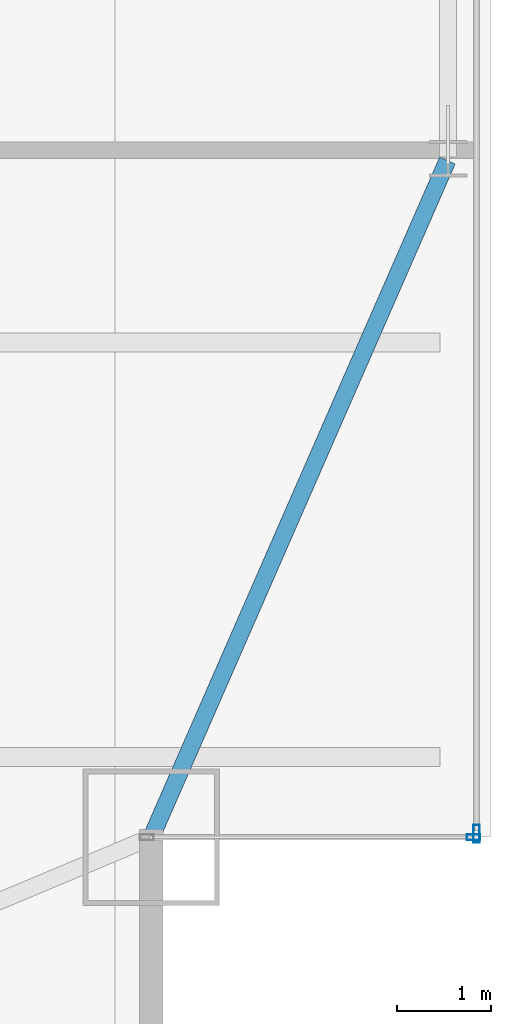
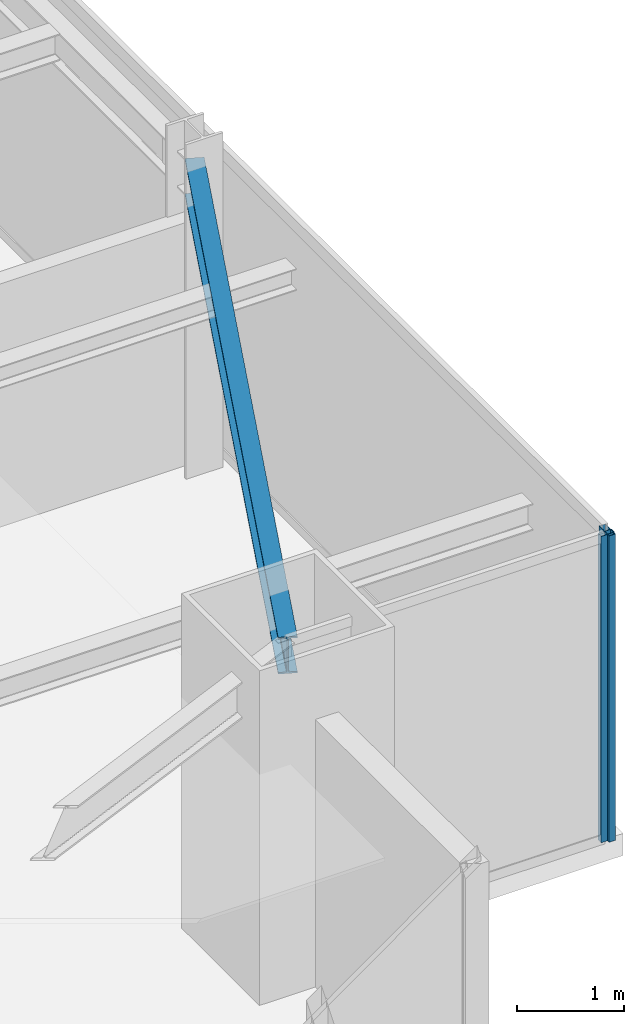
# One storey, part 16 of 33: 2 members, 1 beam, 2 elements without a shape of their own.
"""IFC4 building model written with IfcOpenShell, lengths in metres."""

from ifc_helpers import new_model, si_unit, direction, frame, origin, origin_2d, place, context, subcontext, project, spatial, hollow_rectangle, i_section, extrude, source, transform, mapped, material, layer, layer_set, material_profile, profile_set, type_object, type_shapes, element, aggregate, save


model = new_model("IFC4")

# Units and contexts
model_context = context("Model", 3, precision=1e-05, world=origin(), true_north=direction((0.0, 1.0)))
body_context = subcontext(model_context, "Body", "Model", "MODEL_VIEW")
ifc_project = project(units=[si_unit("LENGTHUNIT", "METRE"), si_unit("AREAUNIT", "SQUARE_METRE"), si_unit("VOLUMEUNIT", "CUBIC_METRE"), si_unit("PLANEANGLEUNIT", "RADIAN"), si_unit("MASSUNIT", "GRAM", prefix="KILO")], contexts=[model_context])

# Site, building, storey
site_placement = place(None, origin())
site = spatial("IfcSite", under=ifc_project, at=site_placement, CompositionType="ELEMENT")
building_placement = place(site_placement, origin())
building = spatial("IfcBuilding", under=site, at=building_placement, Name="Varnel Quay Broadcast Tower", CompositionType="ELEMENT")
storey_placement = place(building_placement, frame((0.0, 0.0, 137.199951171875)))
storey = spatial("IfcBuildingStorey", under=building, at=storey_placement, Name="L33", CompositionType="ELEMENT", Elevation=137.199951171875)

# Beam
ifc_material_1 = material(Name="Structural Steel CSA G40.21 350W", Category="steel")
ifc_material_profile_1 = material_profile(ifc_material_1, i_section(OverallWidth=0.180908203125, OverallDepth=0.4169921875, WebThickness=0.010986328125, FlangeThickness=0.018310546875, FilletRadius=0.011962890625, at=origin_2d()), Name="W410X85")
ifc_profile_set_1 = profile_set([ifc_material_profile_1], Name="Structural Steel CSA G40.21 350W")
beam_type = type_object("IfcBeamType", Name="Beam_W410X85", PredefinedType="SPANDREL", material=ifc_profile_set_1)
shared_shape_1 = source(origin(), body_context, "Body", "SweptSolid", [
    extrude(i_section(OverallWidth=0.180908203125, OverallDepth=0.4169921875, WebThickness=0.010986328125, FlangeThickness=0.018310546875, FilletRadius=0.011962890625, at=origin_2d()), origin(), (0.0, 0.0, 1.0), 7.81884765625),
])
type_shapes(beam_type, [shared_shape_1])
beam_placement = place(storey_placement, frame((59.907958984375, 7.818359375, 3.271484375), z_axis=(0.400827023998, 0.916153751743, 0.0), x_axis=(-0.916153751743, 0.400827023998, 0.0)))
element("IfcBeam", 1, at=beam_placement, inside=storey, type_object=beam_type, Name="L33 East Spandrel MC-SE-TC-E1", PredefinedType="SPANDREL", context=body_context, shape_type="MappedRepresentation", body=[
    mapped(shared_shape_1, transform((0.0, 0.0, 0.0), x_axis=(1.0, 0.0, 0.0), y_axis=(0.0, 1.0, 0.0), z_axis=(0.0, 0.0, 1.0), scale=1.0)),
])

# Curtain wall, member
ifc_material_2 = material(Name="Anodised Bronze Aluminium 6063-T6", Category="aluminium")
ifc_layer_1 = layer(ifc_material_2, 0.18994140625, Name="Anodised Bronze Aluminium 6063-T6")
ifc_layer_set_1 = layer_set([ifc_layer_1], Name="Anodised Bronze Aluminium 6063-T6")
curtain_wall_type_1 = type_object("IfcCurtainWallType", Name="CW_LowerTower", PredefinedType="NOTDEFINED", material=ifc_layer_set_1)
curtain_wall_1_placement = place(storey_placement, origin())
curtain_wall_1 = element("IfcCurtainWall", 2, at=curtain_wall_1_placement, inside=storey, type_object=curtain_wall_type_1, Name="L33 East Unitised Curtain Wall", PredefinedType="NOTDEFINED")
ifc_material_profile_2 = material_profile(ifc_material_2, hollow_rectangle(XDim=0.070068359375, YDim=0.18994140625, WallThickness=0.00390625, at=origin_2d()), Name="ALU70X190X4")
ifc_profile_set_2 = profile_set([ifc_material_profile_2], Name="Anodised Bronze Aluminium 6063-T6")
member_type_1 = type_object("IfcMemberType", Name="Mull_CWS-02", PredefinedType="MULLION", material=ifc_profile_set_2)
shared_shape_2 = source(origin(), body_context, "Body", "SweptSolid", [
    extrude(hollow_rectangle(XDim=0.070068359375, YDim=0.18994140625, WallThickness=0.00390625, at=origin_2d()), origin(), (0.0, 0.0, 1.0), 3.47998046875),
])
type_shapes(member_type_1, [shared_shape_2])
member_1_placement = place(storey_placement, frame((63.35009765625, 7.8349609375, 0.0), z_axis=(0.0, 0.0, 1.0), x_axis=(-1.0, 0.0, 0.0)))
member_1 = element("IfcMember", 3, at=member_1_placement, type_object=member_type_1, Name="CWS-02 mullion 1", PredefinedType="MULLION", context=body_context, shape_type="MappedRepresentation", body=[
    mapped(shared_shape_2, transform((0.0, 0.0, 0.0), x_axis=(1.0, 0.0, 0.0), y_axis=(0.0, 1.0, 0.0), z_axis=(0.0, 0.0, 1.0), scale=1.0)),
])
aggregate(curtain_wall_1, [member_1])

ifc_layer_2 = layer(ifc_material_2, 0.18994140625, Name="Anodised Bronze Aluminium 6063-T6")
ifc_layer_set_2 = layer_set([ifc_layer_2], Name="Anodised Bronze Aluminium 6063-T6")
curtain_wall_type_2 = type_object("IfcCurtainWallType", Name="CW_NotchCorner", PredefinedType="NOTDEFINED", material=ifc_layer_set_2)
curtain_wall_2_placement = place(storey_placement, origin())
curtain_wall_2 = element("IfcCurtainWall", 4, at=curtain_wall_2_placement, inside=storey, type_object=curtain_wall_type_2, Name="L33 SE Notch Curtain Wall", PredefinedType="NOTDEFINED")
ifc_material_profile_3 = material_profile(ifc_material_2, hollow_rectangle(XDim=0.06005859375, YDim=0.14501953125, WallThickness=0.00341796875, at=origin_2d()), Name="ALU60X145X3.5")
ifc_profile_set_3 = profile_set([ifc_material_profile_3], Name="Anodised Bronze Aluminium 6063-T6")
member_type_2 = type_object("IfcMemberType", Name="Mull_CWS-04", PredefinedType="MULLION", material=ifc_profile_set_3)
shared_shape_3 = source(origin(), body_context, "Body", "SweptSolid", [
    extrude(hollow_rectangle(XDim=0.06005859375, YDim=0.14501953125, WallThickness=0.00341796875, at=origin_2d()), origin(), (0.0, 0.0, 1.0), 3.47998046875),
])
type_shapes(member_type_2, [shared_shape_3])
member_2_placement = place(storey_placement, frame((63.320068359375, 7.800048828125, 0.0), z_axis=(0.0, 0.0, 1.0), x_axis=(0.0, 1.0, 0.0)))
member_2 = element("IfcMember", 5, at=member_2_placement, type_object=member_type_2, Name="CWS-04 mullion 2", PredefinedType="MULLION", context=body_context, shape_type="MappedRepresentation", body=[
    mapped(shared_shape_3, transform((0.0, 0.0, 0.0), x_axis=(1.0, 0.0, 0.0), y_axis=(0.0, 1.0, 0.0), z_axis=(0.0, 0.0, 1.0), scale=1.0)),
])
aggregate(curtain_wall_2, [member_2])

save(model, "model.ifc")
